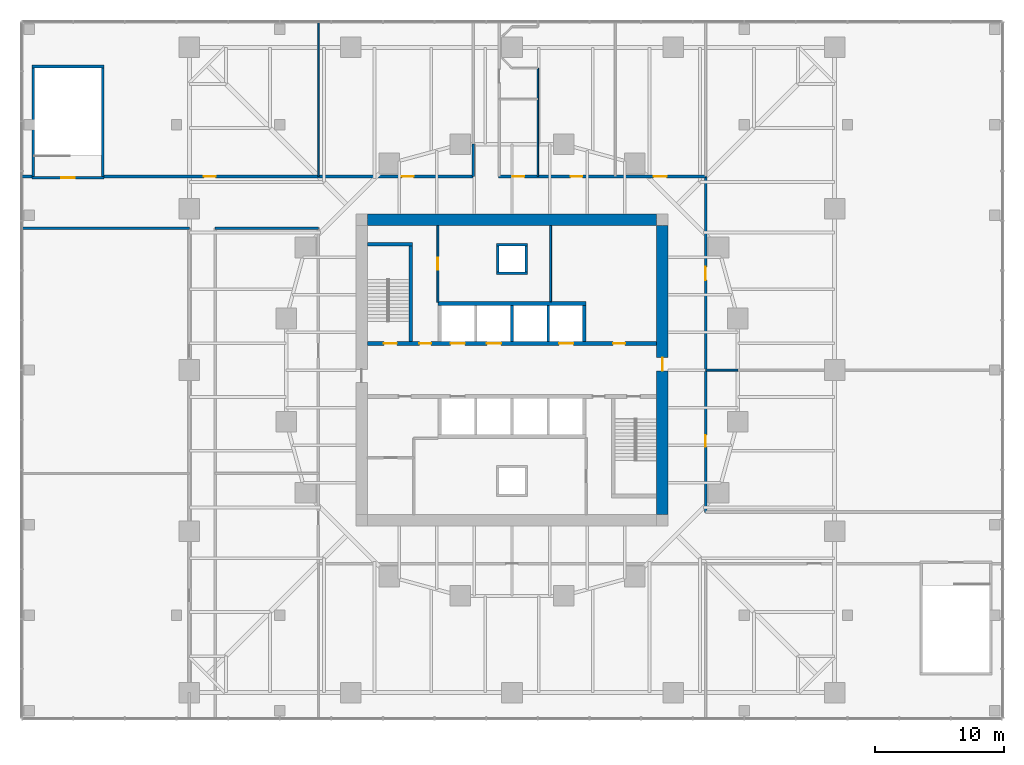
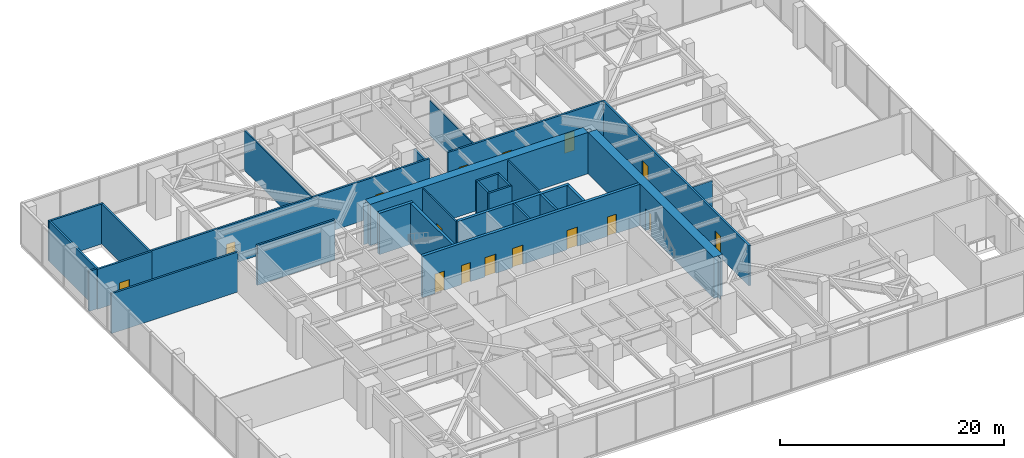
# One storey, part 12 of 14: 29 walls, 16 doors, 16 openings.
"""IFC4 building model written with IfcOpenShell, lengths in metres."""

from ifc_helpers import new_model, si_unit, direction, frame, frame_2d, origin, place, context, subcontext, project, spatial, polyline, rectangle, outline, extrude, material, layer, layer_set, type_object, element, fill, save


model = new_model("IFC4")

# Units and contexts
model_context = context("Model", 3, precision=1e-05, world=origin(), true_north=direction((0.0, 1.0)))
body_context = subcontext(model_context, "Body", "Model", "MODEL_VIEW")
ifc_project = project(units=[si_unit("LENGTHUNIT", "METRE"), si_unit("AREAUNIT", "SQUARE_METRE"), si_unit("VOLUMEUNIT", "CUBIC_METRE"), si_unit("PLANEANGLEUNIT", "RADIAN"), si_unit("MASSUNIT", "GRAM", prefix="KILO")], contexts=[model_context])

# Site, building, storey
site_placement = place(None, origin())
site = spatial("IfcSite", under=ifc_project, at=site_placement, CompositionType="ELEMENT")
building_placement = place(site_placement, origin())
building = spatial("IfcBuilding", under=site, at=building_placement, Name="Torsade Residences", CompositionType="ELEMENT")
storey_placement = place(building_placement, frame((0.0, 0.0, 10.5)))
storey = spatial("IfcBuildingStorey", under=building, at=storey_placement, Name="L02", CompositionType="ELEMENT", Elevation=10.5)

# Wall, openings, doors
ifc_material_1 = material(Name="Concrete 80 MPa", Category="concrete")
ifc_layer_1 = layer(ifc_material_1, 0.300048828125)
ifc_layer_set_1 = layer_set([ifc_layer_1], Name="Concrete 80 MPa")
wall_type_1 = type_object("IfcWallType", Name="CORE INTERNAL WALL 300", PredefinedType="SHEAR", material=ifc_layer_set_1)
wall_1_placement = place(storey_placement, frame((28.800048828125, 32.050048828125, 0.0), z_axis=(0.0, 0.0, 1.0), x_axis=(1.0, 0.0, 0.0)))
wall_1 = element("IfcWall", 1, at=wall_1_placement, inside=storey, type_object=wall_type_1, Name="Core wall LN L02", PredefinedType="SHEAR", context=body_context, shape_type="SweptSolid", body=[
    extrude(rectangle(XDim=22.39990234375, YDim=0.300048828125, at=frame_2d((11.199951171875, 0.0))), origin(), (0.0, 0.0, 1.0), 4.5),
])
opening_1_placement = place(wall_1_placement, frame((19.0400390625, 0.0, 0.0)))
opening_1 = element("IfcOpeningElement", 2, at=opening_1_placement, cuts=wall_1, Name="Opening D06", PredefinedType="OPENING", context=body_context, shape_type="SweptSolid", body=[
    extrude(rectangle(XDim=0.919921875, YDim=2.10009765625, at=frame_2d((0.4599609375, 1.050048828125))), frame((0.0, 0.159912109375, 0.0), z_axis=(0.0, -1.0, 0.0), x_axis=(1.0, 0.0, 0.0)), (0.0, 0.0, 1.0), 0.320068359375),
])
opening_2_placement = place(wall_1_placement, frame((1.264892578125, 0.0, 0.0)))
opening_2 = element("IfcOpeningElement", 3, at=opening_2_placement, cuts=wall_1, Name="Opening D03", PredefinedType="OPENING", context=body_context, shape_type="SweptSolid", body=[
    extrude(rectangle(XDim=1.02001953125, YDim=2.10009765625, at=frame_2d((0.510009765625, 1.050048828125))), frame((0.0, 0.159912109375, 0.0), z_axis=(0.0, -1.0, 0.0), x_axis=(1.0, 0.0, 0.0)), (0.0, 0.0, 1.0), 0.320068359375),
])
opening_3_placement = place(wall_1_placement, frame((4.014892578125, 0.0, 0.0)))
opening_3 = element("IfcOpeningElement", 4, at=opening_3_placement, cuts=wall_1, Name="Opening D06", PredefinedType="OPENING", context=body_context, shape_type="SweptSolid", body=[
    extrude(rectangle(XDim=0.919921875, YDim=2.10009765625, at=frame_2d((0.4599609375, 1.050048828125))), frame((0.0, 0.159912109375, 0.0), z_axis=(0.0, -1.0, 0.0), x_axis=(1.0, 0.0, 0.0)), (0.0, 0.0, 1.0), 0.320068359375),
])
opening_4_placement = place(wall_1_placement, frame((6.449951171875, 0.0, 0.0)))
opening_4 = element("IfcOpeningElement", 5, at=opening_4_placement, cuts=wall_1, Name="Opening LD", PredefinedType="OPENING", context=body_context, shape_type="SweptSolid", body=[
    extrude(rectangle(XDim=1.10009765625, YDim=2.10009765625, at=frame_2d((0.550048828125, 1.050048828125))), frame((0.0, 0.159912109375, 0.0), z_axis=(0.0, -1.0, 0.0), x_axis=(1.0, 0.0, 0.0)), (0.0, 0.0, 1.0), 0.320068359375),
])
opening_5_placement = place(wall_1_placement, frame((9.25, 0.0, 0.0)))
opening_5 = element("IfcOpeningElement", 6, at=opening_5_placement, cuts=wall_1, Name="Opening LD", PredefinedType="OPENING", context=body_context, shape_type="SweptSolid", body=[
    extrude(rectangle(XDim=1.10009765625, YDim=2.10009765625, at=frame_2d((0.550048828125, 1.050048828125))), frame((0.0, 0.159912109375, 0.0), z_axis=(0.0, -1.0, 0.0), x_axis=(1.0, 0.0, 0.0)), (0.0, 0.0, 1.0), 0.320068359375),
])
opening_6_placement = place(wall_1_placement, frame((14.85009765625, 0.0, 0.0)))
opening_6 = element("IfcOpeningElement", 7, at=opening_6_placement, cuts=wall_1, Name="Opening LD", PredefinedType="OPENING", context=body_context, shape_type="SweptSolid", body=[
    extrude(rectangle(XDim=1.10009765625, YDim=2.10009765625, at=frame_2d((0.550048828125, 1.050048828125))), frame((0.0, 0.159912109375, 0.0), z_axis=(0.0, -1.0, 0.0), x_axis=(1.0, 0.0, 0.0)), (0.0, 0.0, 1.0), 0.320068359375),
])
ifc_material_2 = material(Name="Steel-framed fire door", Category="steel")
door_type_1 = type_object("IfcDoorType", Name="FIRE DOOR 1020", OperationType="NOTDEFINED", PredefinedType="DOOR", material=ifc_material_2)
door_1_placement = place(opening_2_placement, origin())
door_1 = element("IfcDoor", 8, at=door_1_placement, inside=storey, type_object=door_type_1, Name="Exit door to fire-isolated stair ST1 L02", OperationType="SINGLE_SWING_RIGHT", OverallHeight=2.10009765625, OverallWidth=1.02001953125, PredefinedType="DOOR", context=body_context, shape_type="SweptSolid", body=[
    extrude(rectangle(XDim=1.02001953125, YDim=2.10009765625, at=frame_2d((0.510009765625, 1.050048828125))), frame((0.0, 0.02490234375, 0.0), z_axis=(0.0, -1.0, 0.0), x_axis=(1.0, 0.0, 0.0)), (0.0, 0.0, 1.0), 0.050048828125),
])
fill(opening_2, door_1)
ifc_material_3 = material(Name="Steel-framed fire door", Category="steel")
door_type_2 = type_object("IfcDoorType", Name="FIRE DOOR 920", OperationType="NOTDEFINED", PredefinedType="DOOR", material=ifc_material_3)
door_2_placement = place(opening_1_placement, origin())
door_2 = element("IfcDoor", 9, at=door_2_placement, inside=storey, type_object=door_type_2, Name="Door Lift lobby to Refuse room", OperationType="SINGLE_SWING_LEFT", OverallHeight=2.10009765625, OverallWidth=0.919921875, PredefinedType="DOOR", context=body_context, shape_type="SweptSolid", body=[
    extrude(rectangle(XDim=0.919921875, YDim=2.10009765625, at=frame_2d((0.4599609375, 1.050048828125))), frame((0.0, 0.02490234375, 0.0), z_axis=(0.0, -1.0, 0.0), x_axis=(1.0, 0.0, 0.0)), (0.0, 0.0, 1.0), 0.050048828125),
])
fill(opening_1, door_2)
door_3_placement = place(opening_3_placement, origin())
door_3 = element("IfcDoor", 10, at=door_3_placement, inside=storey, type_object=door_type_2, Name="Door Lift lobby to Main switchboard store", OperationType="SINGLE_SWING_LEFT", OverallHeight=2.10009765625, OverallWidth=0.919921875, PredefinedType="DOOR", context=body_context, shape_type="SweptSolid", body=[
    extrude(rectangle(XDim=0.919921875, YDim=2.10009765625, at=frame_2d((0.4599609375, 1.050048828125))), frame((0.0, 0.02490234375, 0.0), z_axis=(0.0, -1.0, 0.0), x_axis=(1.0, 0.0, 0.0)), (0.0, 0.0, 1.0), 0.050048828125),
])
fill(opening_3, door_3)
ifc_material_4 = material(Name="Stainless steel lift landing door", Category="steel")
door_type_3 = type_object("IfcDoorType", Name="LIFT LANDING DOOR 1100", OperationType="SLIDING_TO_LEFT", PredefinedType="DOOR", material=ifc_material_4)
door_4_placement = place(opening_4_placement, origin())
door_4 = element("IfcDoor", 11, at=door_4_placement, inside=storey, type_object=door_type_3, Name="Lift LA1 landing door L02", OperationType="SLIDING_TO_LEFT", OverallHeight=2.10009765625, OverallWidth=1.10009765625, PredefinedType="DOOR", context=body_context, shape_type="SweptSolid", body=[
    extrude(rectangle(XDim=1.10009765625, YDim=2.10009765625, at=frame_2d((0.550048828125, 1.050048828125))), frame((0.0, 0.02490234375, 0.0), z_axis=(0.0, -1.0, 0.0), x_axis=(1.0, 0.0, 0.0)), (0.0, 0.0, 1.0), 0.050048828125),
])
fill(opening_4, door_4)
door_5_placement = place(opening_5_placement, origin())
door_5 = element("IfcDoor", 12, at=door_5_placement, inside=storey, type_object=door_type_3, Name="Lift LA2 landing door L02", OperationType="SLIDING_TO_LEFT", OverallHeight=2.10009765625, OverallWidth=1.10009765625, PredefinedType="DOOR", context=body_context, shape_type="SweptSolid", body=[
    extrude(rectangle(XDim=1.10009765625, YDim=2.10009765625, at=frame_2d((0.550048828125, 1.050048828125))), frame((0.0, 0.02490234375, 0.0), z_axis=(0.0, -1.0, 0.0), x_axis=(1.0, 0.0, 0.0)), (0.0, 0.0, 1.0), 0.050048828125),
])
fill(opening_5, door_5)
door_6_placement = place(opening_6_placement, origin())
door_6 = element("IfcDoor", 13, at=door_6_placement, inside=storey, type_object=door_type_3, Name="Lift FL1 landing door L02", OperationType="SLIDING_TO_LEFT", OverallHeight=2.10009765625, OverallWidth=1.10009765625, PredefinedType="DOOR", context=body_context, shape_type="SweptSolid", body=[
    extrude(rectangle(XDim=1.10009765625, YDim=2.10009765625, at=frame_2d((0.550048828125, 1.050048828125))), frame((0.0, 0.02490234375, 0.0), z_axis=(0.0, -1.0, 0.0), x_axis=(1.0, 0.0, 0.0)), (0.0, 0.0, 1.0), 0.050048828125),
])
fill(opening_6, door_6)

# Walls
wall_2_placement = place(storey_placement, frame((34.25, 35.14990234375, 0.0), z_axis=(0.0, 0.0, 1.0), x_axis=(1.0, 0.0, 0.0)))
element("IfcWall", 14, at=wall_2_placement, inside=storey, type_object=wall_type_1, Name="Core wall BN L02", PredefinedType="SHEAR", context=body_context, shape_type="SweptSolid", body=[
    extrude(rectangle(XDim=11.5, YDim=0.300048828125, at=frame_2d((5.75, 0.0))), origin(), (0.0, 0.0, 1.0), 4.5),
])
wall_3_placement = place(storey_placement, frame((45.60009765625, 32.199951171875, 0.0), z_axis=(0.0, 0.0, 1.0), x_axis=(0.0, 1.0, 0.0)))
element("IfcWall", 15, at=wall_3_placement, inside=storey, type_object=wall_type_1, Name="Core wall DN4 L02", PredefinedType="SHEAR", context=body_context, shape_type="SweptSolid", body=[
    extrude(rectangle(XDim=2.800048828125, YDim=0.300048828125, at=frame_2d((1.39990234375, 0.0))), origin(), (0.0, 0.0, 1.0), 4.5),
])
wall_4_placement = place(storey_placement, frame((32.14990234375, 32.199951171875, 0.0), z_axis=(0.0, 0.0, 1.0), x_axis=(0.0, 1.0, 0.0)))
element("IfcWall", 16, at=wall_4_placement, inside=storey, type_object=wall_type_1, Name="Core wall ST1E L02", PredefinedType="SHEAR", context=body_context, shape_type="SweptSolid", body=[
    extrude(rectangle(XDim=7.699951171875, YDim=0.300048828125, at=frame_2d((3.85009765625, 0.0))), origin(), (0.0, 0.0, 1.0), 4.5),
])
wall_5_placement = place(storey_placement, frame((28.800048828125, 39.75, 0.0), z_axis=(0.0, 0.0, 1.0), x_axis=(1.0, 0.0, 0.0)))
element("IfcWall", 17, at=wall_5_placement, inside=storey, type_object=wall_type_1, Name="Core wall ST1N L02", PredefinedType="SHEAR", context=body_context, shape_type="SweptSolid", body=[
    extrude(rectangle(XDim=3.5, YDim=0.300048828125, at=frame_2d((1.75, 0.0))), origin(), (0.0, 0.0, 1.0), 4.5),
])
ifc_material_5 = material(Name="Concrete 80 MPa", Category="concrete")
ifc_layer_2 = layer(ifc_material_5, 0.89990234375)
ifc_layer_set_2 = layer_set([ifc_layer_2], Name="Concrete 80 MPa")
wall_type_2 = type_object("IfcWallType", Name="CORE WALL 900", PredefinedType="SHEAR", material=ifc_layer_set_2)
wall_6_placement = place(storey_placement, frame((28.800048828125, 41.64990234375, 0.0), z_axis=(0.0, 0.0, 1.0), x_axis=(1.0, 0.0, 0.0)))
element("IfcWall", 18, at=wall_6_placement, inside=storey, type_object=wall_type_2, Name="Core wall N L02", PredefinedType="SHEAR", context=body_context, shape_type="SweptSolid", body=[
    extrude(outline(polyline([(0.0, -0.449951171875), (22.39990234375, -0.449951171875), (22.39990234375, -0.02490234375), (22.849853515625, -0.02490234375), (22.849853515625, 0.02490234375), (22.39990234375, 0.02490234375), (22.39990234375, 0.449951171875), (0.0, 0.449951171875), (0.0, 0.02490234375), (-0.449951171875, 0.02490234375), (-0.449951171875, -0.02490234375), (0.0, -0.02490234375), (0.0, -0.449951171875)])), origin(), (0.0, 0.0, 1.0), 4.5),
])

# Wall, opening, door
wall_7_placement = place(storey_placement, frame((51.64990234375, 18.800048828125, 0.0), z_axis=(0.0, 0.0, 1.0), x_axis=(0.0, 1.0, 0.0)))
wall_7 = element("IfcWall", 19, at=wall_7_placement, inside=storey, type_object=wall_type_2, Name="Core wall E L02", PredefinedType="SHEAR", context=body_context, shape_type="SweptSolid", body=[
    extrude(outline(polyline([(0.0, -0.449951171875), (22.39990234375, -0.449951171875), (22.39990234375, -0.02490234375), (22.849853515625, -0.02490234375), (22.849853515625, 0.02490234375), (22.39990234375, 0.02490234375), (22.39990234375, 0.449951171875), (0.0, 0.449951171875), (0.0, 0.02490234375), (-0.449951171875, 0.02490234375), (-0.449951171875, -0.02490234375), (0.0, -0.02490234375), (0.0, -0.449951171875)])), origin(), (0.0, 0.0, 1.0), 4.5),
])
opening_7_placement = place(wall_7_placement, frame((11.139892578125, 0.0, 0.0)))
opening_7 = element("IfcOpeningElement", 20, at=opening_7_placement, cuts=wall_7, Name="Opening D04", PredefinedType="OPENING", context=body_context, shape_type="SweptSolid", body=[
    extrude(rectangle(XDim=1.02001953125, YDim=2.39990234375, at=frame_2d((0.510009765625, 1.199951171875))), frame((0.0, 0.4599609375, 0.0), z_axis=(0.0, -1.0, 0.0), x_axis=(1.0, 0.0, 0.0)), (0.0, 0.0, 1.0), 0.919921875),
])
ifc_material_6 = material(Name="Steel-framed fire door", Category="steel")
door_type_4 = type_object("IfcDoorType", Name="LOBBY SMOKE DOOR 1020x2400", OperationType="NOTDEFINED", PredefinedType="DOOR", material=ifc_material_6)
door_7_placement = place(opening_7_placement, origin())
door_7 = element("IfcDoor", 21, at=door_7_placement, inside=storey, type_object=door_type_4, Name="Lift lobby door E L02", OperationType="SINGLE_SWING_LEFT", OverallHeight=2.39990234375, OverallWidth=1.02001953125, PredefinedType="DOOR", context=body_context, shape_type="SweptSolid", body=[
    extrude(rectangle(XDim=1.02001953125, YDim=2.39990234375, at=frame_2d((0.510009765625, 1.199951171875))), frame((0.0, 0.02490234375, 0.0), z_axis=(0.0, -1.0, 0.0), x_axis=(1.0, 0.0, 0.0)), (0.0, 0.0, 1.0), 0.050048828125),
])
fill(opening_7, door_7)

# Wall, openings, doors
ifc_material_7 = material(Name="Plasterboard on steel stud", Category="steel")
ifc_layer_3 = layer(ifc_material_7, 0.199951171875)
ifc_layer_set_3 = layer_set([ifc_layer_3], Name="Plasterboard on steel stud")
wall_type_3 = type_object("IfcWallType", Name="CORRIDOR WALL 200", PredefinedType="PARTITIONING", material=ifc_layer_set_3)
wall_8_placement = place(storey_placement, frame((8.39990234375, 45.0, 0.0), z_axis=(0.0, 0.0, 1.0), x_axis=(1.0, 0.0, 0.0)))
wall_8 = element("IfcWall", 22, at=wall_8_placement, inside=storey, type_object=wall_type_3, Name="Corridor wall L02", PredefinedType="PARTITIONING", context=body_context, shape_type="SweptSolid", body=[
    extrude(rectangle(XDim=28.650146484375, YDim=0.199951171875, at=frame_2d((14.3251953125, 0.0))), origin(), (0.0, 0.0, 1.0), 4.35009765625),
])
opening_8_placement = place(wall_8_placement, frame((23.06494140625, 0.0, 0.0)))
opening_8 = element("IfcOpeningElement", 23, at=opening_8_placement, cuts=wall_8, Name="Opening D02", PredefinedType="OPENING", context=body_context, shape_type="SweptSolid", body=[
    extrude(rectangle(XDim=0.919921875, YDim=2.340087890625, at=frame_2d((0.4599609375, 1.169921875))), frame((0.0, 0.10986328125, 0.0), z_axis=(0.0, -1.0, 0.0), x_axis=(1.0, 0.0, 0.0)), (0.0, 0.0, 1.0), 0.219970703125),
])
opening_9_placement = place(wall_8_placement, frame((7.715087890625, 0.0, 0.0)))
opening_9 = element("IfcOpeningElement", 24, at=opening_9_placement, cuts=wall_8, Name="Opening D02", PredefinedType="OPENING", context=body_context, shape_type="SweptSolid", body=[
    extrude(rectangle(XDim=0.919921875, YDim=2.340087890625, at=frame_2d((0.4599609375, 1.169921875))), frame((0.0, 0.10986328125, 0.0), z_axis=(0.0, -1.0, 0.0), x_axis=(1.0, 0.0, 0.0)), (0.0, 0.0, 1.0), 0.219970703125),
])
ifc_material_8 = material(Name="Hollow-core timber door", Category="wood")
door_type_5 = type_object("IfcDoorType", Name="INTERNAL DOOR 920x2340", OperationType="NOTDEFINED", PredefinedType="DOOR", material=ifc_material_8)
door_8_placement = place(opening_8_placement, origin())
door_8 = element("IfcDoor", 25, at=door_8_placement, inside=storey, type_object=door_type_5, Name="Door Amenity corridor to Function kitchen", OperationType="SINGLE_SWING_LEFT", OverallHeight=2.340087890625, OverallWidth=0.919921875, PredefinedType="DOOR", context=body_context, shape_type="SweptSolid", body=[
    extrude(rectangle(XDim=0.919921875, YDim=2.340087890625, at=frame_2d((0.4599609375, 1.169921875))), frame((0.0, 0.02490234375, 0.0), z_axis=(0.0, -1.0, 0.0), x_axis=(1.0, 0.0, 0.0)), (0.0, 0.0, 1.0), 0.050048828125),
])
fill(opening_8, door_8)
door_9_placement = place(opening_9_placement, origin())
door_9 = element("IfcDoor", 26, at=door_9_placement, inside=storey, type_object=door_type_5, Name="Door Amenity corridor west to Co-working room north", OperationType="SINGLE_SWING_RIGHT", OverallHeight=2.340087890625, OverallWidth=0.919921875, PredefinedType="DOOR", context=body_context, shape_type="SweptSolid", body=[
    extrude(rectangle(XDim=0.919921875, YDim=2.340087890625, at=frame_2d((0.4599609375, 1.169921875))), frame((0.0, 0.02490234375, 0.0), z_axis=(0.0, -1.0, 0.0), x_axis=(1.0, 0.0, 0.0)), (0.0, 0.0, 1.0), 0.050048828125),
])
fill(opening_9, door_9)

wall_9_placement = place(storey_placement, frame((38.949951171875, 45.0, 0.0), z_axis=(0.0, 0.0, 1.0), x_axis=(1.0, 0.0, 0.0)))
wall_9 = element("IfcWall", 27, at=wall_9_placement, inside=storey, type_object=wall_type_3, Name="Corridor wall L02", PredefinedType="PARTITIONING", context=body_context, shape_type="SweptSolid", body=[
    extrude(rectangle(XDim=16.050048828125, YDim=0.199951171875, at=frame_2d((8.02490234375, 0.0))), origin(), (0.0, 0.0, 1.0), 4.35009765625),
])
opening_10_placement = place(wall_9_placement, frame((12.014892578125, 0.0, 0.0)))
opening_10 = element("IfcOpeningElement", 28, at=opening_10_placement, cuts=wall_9, Name="Opening D03", PredefinedType="OPENING", context=body_context, shape_type="SweptSolid", body=[
    extrude(rectangle(XDim=1.02001953125, YDim=2.10009765625, at=frame_2d((0.510009765625, 1.050048828125))), frame((0.0, 0.10986328125, 0.0), z_axis=(0.0, -1.0, 0.0), x_axis=(1.0, 0.0, 0.0)), (0.0, 0.0, 1.0), 0.219970703125),
])
opening_11_placement = place(wall_9_placement, frame((5.590087890625, 0.0, 0.0)))
opening_11 = element("IfcOpeningElement", 29, at=opening_11_placement, cuts=wall_9, Name="Opening D02", PredefinedType="OPENING", context=body_context, shape_type="SweptSolid", body=[
    extrude(rectangle(XDim=0.919921875, YDim=2.340087890625, at=frame_2d((0.4599609375, 1.169921875))), frame((0.0, 0.10986328125, 0.0), z_axis=(0.0, -1.0, 0.0), x_axis=(1.0, 0.0, 0.0)), (0.0, 0.0, 1.0), 0.219970703125),
])
opening_12_placement = place(wall_9_placement, frame((1.090087890625, 0.0, 0.0)))
opening_12 = element("IfcOpeningElement", 30, at=opening_12_placement, cuts=wall_9, Name="Opening D02", PredefinedType="OPENING", context=body_context, shape_type="SweptSolid", body=[
    extrude(rectangle(XDim=0.919921875, YDim=2.340087890625, at=frame_2d((0.4599609375, 1.169921875))), frame((0.0, 0.10986328125, 0.0), z_axis=(0.0, -1.0, 0.0), x_axis=(1.0, 0.0, 0.0)), (0.0, 0.0, 1.0), 0.219970703125),
])
door_10_placement = place(opening_10_placement, origin())
door_10 = element("IfcDoor", 31, at=door_10_placement, inside=storey, type_object=door_type_1, Name="Door Amenity corridor to Store", OperationType="SINGLE_SWING_LEFT", OverallHeight=2.10009765625, OverallWidth=1.02001953125, PredefinedType="DOOR", context=body_context, shape_type="SweptSolid", body=[
    extrude(rectangle(XDim=1.02001953125, YDim=2.10009765625, at=frame_2d((0.510009765625, 1.050048828125))), frame((0.0, 0.02490234375, 0.0), z_axis=(0.0, -1.0, 0.0), x_axis=(1.0, 0.0, 0.0)), (0.0, 0.0, 1.0), 0.050048828125),
])
fill(opening_10, door_10)
door_11_placement = place(opening_11_placement, origin())
door_11 = element("IfcDoor", 32, at=door_11_placement, inside=storey, type_object=door_type_5, Name="Door Amenity corridor to WC", OperationType="SINGLE_SWING_RIGHT", OverallHeight=2.340087890625, OverallWidth=0.919921875, PredefinedType="DOOR", context=body_context, shape_type="SweptSolid", body=[
    extrude(rectangle(XDim=0.919921875, YDim=2.340087890625, at=frame_2d((0.4599609375, 1.169921875))), frame((0.0, 0.02490234375, 0.0), z_axis=(0.0, -1.0, 0.0), x_axis=(1.0, 0.0, 0.0)), (0.0, 0.0, 1.0), 0.050048828125),
])
fill(opening_11, door_11)
door_12_placement = place(opening_12_placement, origin())
door_12 = element("IfcDoor", 33, at=door_12_placement, inside=storey, type_object=door_type_5, Name="Door Amenity corridor to Accessible WC", OperationType="SINGLE_SWING_LEFT", OverallHeight=2.340087890625, OverallWidth=0.919921875, PredefinedType="DOOR", context=body_context, shape_type="SweptSolid", body=[
    extrude(rectangle(XDim=0.919921875, YDim=2.340087890625, at=frame_2d((0.4599609375, 1.169921875))), frame((0.0, 0.02490234375, 0.0), z_axis=(0.0, -1.0, 0.0), x_axis=(1.0, 0.0, 0.0)), (0.0, 0.0, 1.0), 0.050048828125),
])
fill(opening_12, door_12)

wall_10_placement = place(storey_placement, frame((55.0, 45.0, 0.0), z_axis=(0.0, 0.0, 1.0), x_axis=(0.0, -1.0, 0.0)))
wall_10 = element("IfcWall", 34, at=wall_10_placement, inside=storey, type_object=wall_type_3, Name="Corridor wall L02", PredefinedType="PARTITIONING", context=body_context, shape_type="SweptSolid", body=[
    extrude(rectangle(XDim=26.050048828125, YDim=0.199951171875, at=frame_2d((13.02490234375, 0.0))), origin(), (0.0, 0.0, 1.0), 4.35009765625),
])
opening_13_placement = place(wall_10_placement, frame((7.014892578125, 0.0, 0.0)))
opening_13 = element("IfcOpeningElement", 35, at=opening_13_placement, cuts=wall_10, Name="Opening D03", PredefinedType="OPENING", context=body_context, shape_type="SweptSolid", body=[
    extrude(rectangle(XDim=1.02001953125, YDim=2.10009765625, at=frame_2d((0.510009765625, 1.050048828125))), frame((0.0, 0.10986328125, 0.0), z_axis=(0.0, -1.0, 0.0), x_axis=(1.0, 0.0, 0.0)), (0.0, 0.0, 1.0), 0.219970703125),
])
opening_14_placement = place(wall_10_placement, frame((20.0400390625, 0.0, 0.0)))
opening_14 = element("IfcOpeningElement", 36, at=opening_14_placement, cuts=wall_10, Name="Opening D02", PredefinedType="OPENING", context=body_context, shape_type="SweptSolid", body=[
    extrude(rectangle(XDim=0.919921875, YDim=2.340087890625, at=frame_2d((0.4599609375, 1.169921875))), frame((0.0, 0.10986328125, 0.0), z_axis=(0.0, -1.0, 0.0), x_axis=(1.0, 0.0, 0.0)), (0.0, 0.0, 1.0), 0.219970703125),
])
door_13_placement = place(opening_13_placement, origin())
door_13 = element("IfcDoor", 37, at=door_13_placement, inside=storey, type_object=door_type_1, Name="Door Amenity corridor to Residents storage room", OperationType="SINGLE_SWING_LEFT", OverallHeight=2.10009765625, OverallWidth=1.02001953125, PredefinedType="DOOR", context=body_context, shape_type="SweptSolid", body=[
    extrude(rectangle(XDim=1.02001953125, YDim=2.10009765625, at=frame_2d((0.510009765625, 1.050048828125))), frame((0.0, 0.02490234375, 0.0), z_axis=(0.0, -1.0, 0.0), x_axis=(1.0, 0.0, 0.0)), (0.0, 0.0, 1.0), 0.050048828125),
])
fill(opening_13, door_13)
door_14_placement = place(opening_14_placement, origin())
door_14 = element("IfcDoor", 38, at=door_14_placement, inside=storey, type_object=door_type_5, Name="Door Amenity corridor to Childrens play room", OperationType="SINGLE_SWING_RIGHT", OverallHeight=2.340087890625, OverallWidth=0.919921875, PredefinedType="DOOR", context=body_context, shape_type="SweptSolid", body=[
    extrude(rectangle(XDim=0.919921875, YDim=2.340087890625, at=frame_2d((0.4599609375, 1.169921875))), frame((0.0, 0.02490234375, 0.0), z_axis=(0.0, -1.0, 0.0), x_axis=(1.0, 0.0, 0.0)), (0.0, 0.0, 1.0), 0.050048828125),
])
fill(opening_14, door_14)

# Walls
wall_11_placement = place(storey_placement, frame((15.0, 41.0, 0.0), z_axis=(0.0, 0.0, 1.0), x_axis=(-1.0, 0.0, 0.0)))
element("IfcWall", 39, at=wall_11_placement, inside=storey, type_object=wall_type_3, Name="Corridor wall L02", PredefinedType="PARTITIONING", context=body_context, shape_type="SweptSolid", body=[
    extrude(rectangle(XDim=13.0, YDim=0.199951171875, at=frame_2d((6.5, 0.0))), origin(), (0.0, 0.0, 1.0), 4.35009765625),
])
wall_12_placement = place(storey_placement, frame((25.0, 41.0, 0.0), z_axis=(0.0, 0.0, 1.0), x_axis=(-1.0, 0.0, 0.0)))
element("IfcWall", 40, at=wall_12_placement, inside=storey, type_object=wall_type_3, Name="Corridor wall L02", PredefinedType="PARTITIONING", context=body_context, shape_type="SweptSolid", body=[
    extrude(rectangle(XDim=8.0, YDim=0.199951171875, at=frame_2d((4.0, 0.0))), origin(), (0.0, 0.0, 1.0), 4.35009765625),
])
wall_13_placement = place(storey_placement, frame((2.0, 45.0, 0.0), z_axis=(0.0, 0.0, 1.0), x_axis=(1.0, 0.0, 0.0)))
element("IfcWall", 41, at=wall_13_placement, inside=storey, type_object=wall_type_3, Name="Corridor wall L02", PredefinedType="PARTITIONING", context=body_context, shape_type="SweptSolid", body=[
    extrude(rectangle(XDim=0.800048828125, YDim=0.199951171875, at=frame_2d((0.39990234375, 0.0))), origin(), (0.0, 0.0, 1.0), 4.35009765625),
])
wall_14_placement = place(storey_placement, frame((37.0, 47.5, 0.0), z_axis=(0.0, 0.0, 1.0), x_axis=(0.0, -1.0, 0.0)))
element("IfcWall", 42, at=wall_14_placement, inside=storey, type_object=wall_type_3, Name="Corridor wall L02", PredefinedType="PARTITIONING", context=body_context, shape_type="SweptSolid", body=[
    extrude(rectangle(XDim=2.5, YDim=0.199951171875, at=frame_2d((1.25, 0.0))), origin(), (0.0, 0.0, 1.0), 3.89501953125),
])
ifc_material_9 = material(Name="Reinforced blockwork", Category="masonry")
ifc_layer_4 = layer(ifc_material_9, 0.199951171875)
ifc_layer_set_4 = layer_set([ifc_layer_4], Name="Reinforced blockwork")
wall_type_4 = type_object("IfcWallType", Name="LIFT SHAFT DIVIDING WALL 200", PredefinedType="SOLIDWALL", material=ifc_layer_set_4)
for number, where, z_axis, x_axis, name in (
    (43, (40.0, 32.199951171875, 0.0), (0.0, 0.0, 1.0), (0.0, 1.0, 0.0), "Core wall DN2 L02"),
    (44, (42.800048828125, 32.199951171875, 0.0), (0.0, 0.0, 1.0), (0.0, 1.0, 0.0), "Core wall DN3 L02"),
):
    element("IfcWall", number, at=place(storey_placement, frame(where, z_axis=z_axis, x_axis=x_axis)), inside=storey, type_object=wall_type_4, Name=name, PredefinedType="SOLIDWALL", context=body_context, shape_type="SweptSolid", body=[
        extrude(rectangle(XDim=2.800048828125, YDim=0.199951171875, at=frame_2d((1.39990234375, 0.0))), origin(), (0.0, 0.0, 1.0), 4.5),
    ])
ifc_material_10 = material(Name="Plasterboard on steel stud", Category="steel")
ifc_layer_5 = layer(ifc_material_10, 0.1201171875)
ifc_layer_set_5 = layer_set([ifc_layer_5], Name="Plasterboard on steel stud")
wall_type_5 = type_object("IfcWallType", Name="PARTITION 120", PredefinedType="PARTITIONING", material=ifc_layer_set_5)
wall_15_placement = place(storey_placement, frame((25.0, 57.0, 0.0), z_axis=(0.0, 0.0, 1.0), x_axis=(0.0, -1.0, 0.0)))
element("IfcWall", 45, at=wall_15_placement, inside=storey, type_object=wall_type_5, Name="Partition L02", PredefinedType="PARTITIONING", context=body_context, shape_type="SweptSolid", body=[
    extrude(rectangle(XDim=12.0, YDim=0.1201171875, at=frame_2d((6.0, 0.0))), origin(), (0.0, 0.0, 1.0), 4.35009765625),
])
wall_16_placement = place(storey_placement, frame((42.0, 53.39990234375, 0.0), z_axis=(0.0, 0.0, 1.0), x_axis=(0.0, -1.0, 0.0)))
element("IfcWall", 46, at=wall_16_placement, inside=storey, type_object=wall_type_5, Name="Partition L02", PredefinedType="PARTITIONING", context=body_context, shape_type="SweptSolid", body=[
    extrude(rectangle(XDim=8.39990234375, YDim=0.1201171875, at=frame_2d((4.199951171875, 0.0))), origin(), (0.0, 0.0, 1.0), 3.822021484375),
])

# Wall, opening, door
ifc_material_11 = material(Name="Reinforced blockwork", Category="masonry")
ifc_layer_6 = layer(ifc_material_11, 0.199951171875)
ifc_layer_set_6 = layer_set([ifc_layer_6], Name="Reinforced blockwork")
wall_type_6 = type_object("IfcWallType", Name="PODIUM STAIR ENCLOSURE WALL 200", PredefinedType="SOLIDWALL", material=ifc_layer_set_6)
wall_17_placement = place(storey_placement, frame((2.800048828125, 44.89990234375, 0.0), z_axis=(0.0, 0.0, 1.0), x_axis=(1.0, 0.0, 0.0)))
wall_17 = element("IfcWall", 47, at=wall_17_placement, inside=storey, type_object=wall_type_6, Name="Stair enclosure wall L02", PredefinedType="SOLIDWALL", context=body_context, shape_type="SweptSolid", body=[
    extrude(rectangle(XDim=5.599853515625, YDim=0.199951171875, at=frame_2d((2.7998046875, 0.0))), origin(), (0.0, 0.0, 1.0), 4.35009765625),
])
opening_15_placement = place(wall_17_placement, frame((2.2900390625, 0.0, 0.0)))
opening_15 = element("IfcOpeningElement", 48, at=opening_15_placement, cuts=wall_17, Name="Opening D03", PredefinedType="OPENING", context=body_context, shape_type="SweptSolid", body=[
    extrude(rectangle(XDim=1.02001953125, YDim=2.10009765625, at=frame_2d((0.510009765625, 1.050048828125))), frame((0.0, 0.10986328125, 0.0), z_axis=(0.0, -1.0, 0.0), x_axis=(1.0, 0.0, 0.0)), (0.0, 0.0, 1.0), 0.219970703125),
])
door_15_placement = place(opening_15_placement, origin())
door_15 = element("IfcDoor", 49, at=door_15_placement, inside=storey, type_object=door_type_1, Name="Exit door to fire-isolated stair ST3 L02", OperationType="SINGLE_SWING_LEFT", OverallHeight=2.10009765625, OverallWidth=1.02001953125, PredefinedType="DOOR", context=body_context, shape_type="SweptSolid", body=[
    extrude(rectangle(XDim=1.02001953125, YDim=2.10009765625, at=frame_2d((0.510009765625, 1.050048828125))), frame((0.0, 0.02490234375, 0.0), z_axis=(0.0, -1.0, 0.0), x_axis=(1.0, 0.0, 0.0)), (0.0, 0.0, 1.0), 0.050048828125),
])
fill(opening_15, door_15)

# Walls
wall_18_placement = place(storey_placement, frame((8.300048828125, 45.0, 0.0), z_axis=(0.0, 0.0, 1.0), x_axis=(0.0, 1.0, 0.0)))
element("IfcWall", 50, at=wall_18_placement, inside=storey, type_object=wall_type_6, Name="Stair enclosure wall L02", PredefinedType="SOLIDWALL", context=body_context, shape_type="SweptSolid", body=[
    extrude(rectangle(XDim=8.419921875, YDim=0.199951171875, at=frame_2d((4.2099609375, 0.0))), origin(), (0.0, 0.0, 1.0), 4.35009765625),
])
wall_19_placement = place(storey_placement, frame((8.39990234375, 53.52001953125, 0.0), z_axis=(0.0, 0.0, 1.0), x_axis=(-1.0, 0.0, 0.0)))
element("IfcWall", 51, at=wall_19_placement, inside=storey, type_object=wall_type_6, Name="Stair enclosure wall L02", PredefinedType="SOLIDWALL", context=body_context, shape_type="SweptSolid", body=[
    extrude(rectangle(XDim=5.599853515625, YDim=0.199951171875, at=frame_2d((2.7998046875, 0.0))), origin(), (0.0, 0.0, 1.0), 4.35009765625),
])
wall_20_placement = place(storey_placement, frame((2.89990234375, 53.419921875, 0.0), z_axis=(0.0, 0.0, 1.0), x_axis=(0.0, -1.0, 0.0)))
element("IfcWall", 52, at=wall_20_placement, inside=storey, type_object=wall_type_6, Name="Stair enclosure wall L02", PredefinedType="SOLIDWALL", context=body_context, shape_type="SweptSolid", body=[
    extrude(rectangle(XDim=8.419921875, YDim=0.199951171875, at=frame_2d((4.2099609375, 0.0))), origin(), (0.0, 0.0, 1.0), 4.35009765625),
])
ifc_material_12 = material(Name="Reinforced blockwork", Category="masonry")
ifc_layer_7 = layer(ifc_material_12, 0.199951171875)
ifc_layer_set_7 = layer_set([ifc_layer_7], Name="Reinforced blockwork")
wall_type_7 = type_object("IfcWallType", Name="RISER SHAFT WALL 200", PredefinedType="SOLIDWALL", material=ifc_layer_set_7)
for number, where, z_axis, x_axis, name in (
    (53, (38.89990234375, 37.60009765625, 0.0), (0.0, 0.0, 1.0), (0.0, 1.0, 0.0), "Core wall RS1a L02"),
    (54, (41.10009765625, 37.60009765625, 0.0), (0.0, 0.0, 1.0), (0.0, 1.0, 0.0), "Core wall RS1b L02"),
):
    element("IfcWall", number, at=place(storey_placement, frame(where, z_axis=z_axis, x_axis=x_axis)), inside=storey, type_object=wall_type_7, Name=name, PredefinedType="SOLIDWALL", context=body_context, shape_type="SweptSolid", body=[
        extrude(rectangle(XDim=2.0, YDim=0.199951171875, at=frame_2d((1.0, 0.0))), origin(), (0.0, 0.0, 1.0), 4.5),
    ])
for number, where, z_axis, x_axis, name in (
    (55, (38.800048828125, 37.5, 0.0), (0.0, 0.0, 1.0), (1.0, 0.0, 0.0), "Core wall RS1c L02"),
    (56, (38.800048828125, 39.699951171875, 0.0), (0.0, 0.0, 1.0), (1.0, 0.0, 0.0), "Core wall RS1d L02"),
):
    element("IfcWall", number, at=place(storey_placement, frame(where, z_axis=z_axis, x_axis=x_axis)), inside=storey, type_object=wall_type_7, Name=name, PredefinedType="SOLIDWALL", context=body_context, shape_type="SweptSolid", body=[
        extrude(rectangle(XDim=2.39990234375, YDim=0.199951171875, at=frame_2d((1.199951171875, 0.0))), origin(), (0.0, 0.0, 1.0), 4.5),
    ])

# Wall, opening, door
ifc_material_13 = material(Name="Reinforced blockwork", Category="masonry")
ifc_layer_8 = layer(ifc_material_13, 0.14990234375)
ifc_layer_set_8 = layer_set([ifc_layer_8], Name="Reinforced blockwork")
wall_type_8 = type_object("IfcWallType", Name="SERVICE ROOM WALL 150", PredefinedType="SOLIDWALL", material=ifc_layer_set_8)
wall_21_placement = place(storey_placement, frame((34.25, 41.199951171875, 0.0), z_axis=(0.0, 0.0, 1.0), x_axis=(0.0, -1.0, 0.0)))
wall_21 = element("IfcWall", 57, at=wall_21_placement, inside=storey, type_object=wall_type_8, Name="Service room wall L02", PredefinedType="SOLIDWALL", context=body_context, shape_type="SweptSolid", body=[
    extrude(rectangle(XDim=5.949951171875, YDim=0.14990234375, at=frame_2d((2.97509765625, 0.0))), origin(), (0.0, 0.0, 1.0), 4.35009765625),
])
opening_16_placement = place(wall_21_placement, frame((2.514892578125, 0.0, 0.0)))
opening_16 = element("IfcOpeningElement", 58, at=opening_16_placement, cuts=wall_21, Name="Opening D06", PredefinedType="OPENING", context=body_context, shape_type="SweptSolid", body=[
    extrude(rectangle(XDim=0.919921875, YDim=2.10009765625, at=frame_2d((0.4599609375, 1.050048828125))), frame((0.0, 0.0849609375, 0.0), z_axis=(0.0, -1.0, 0.0), x_axis=(1.0, 0.0, 0.0)), (0.0, 0.0, 1.0), 0.169921875),
])
door_16_placement = place(opening_16_placement, origin())
door_16 = element("IfcDoor", 59, at=door_16_placement, inside=storey, type_object=door_type_2, Name="Door Main switchboard store to Electrical riser room", OperationType="SINGLE_SWING_RIGHT", OverallHeight=2.10009765625, OverallWidth=0.919921875, PredefinedType="DOOR", context=body_context, shape_type="SweptSolid", body=[
    extrude(rectangle(XDim=0.919921875, YDim=2.10009765625, at=frame_2d((0.4599609375, 1.050048828125))), frame((0.0, 0.02490234375, 0.0), z_axis=(0.0, -1.0, 0.0), x_axis=(1.0, 0.0, 0.0)), (0.0, 0.0, 1.0), 0.050048828125),
])
fill(opening_16, door_16)

# Walls
wall_22_placement = place(storey_placement, frame((43.0, 41.199951171875, 0.0), z_axis=(0.0, 0.0, 1.0), x_axis=(0.0, -1.0, 0.0)))
element("IfcWall", 60, at=wall_22_placement, inside=storey, type_object=wall_type_8, Name="Service room wall L02", PredefinedType="SOLIDWALL", context=body_context, shape_type="SweptSolid", body=[
    extrude(rectangle(XDim=5.89990234375, YDim=0.14990234375, at=frame_2d((2.949951171875, 0.0))), origin(), (0.0, 0.0, 1.0), 4.35009765625),
])
wall_23_placement = place(storey_placement, frame((55.0, 30.0, 0.0), z_axis=(0.0, 0.0, 1.0), x_axis=(1.0, 0.0, 0.0)))
element("IfcWall", 61, at=wall_23_placement, inside=storey, type_object=wall_type_8, Name="Service room wall L02", PredefinedType="SOLIDWALL", context=body_context, shape_type="SweptSolid", body=[
    extrude(rectangle(XDim=2.5, YDim=0.14990234375, at=frame_2d((1.25, 0.0))), origin(), (0.0, 0.0, 1.0), 3.89501953125),
])

save(model, "model.ifc")
